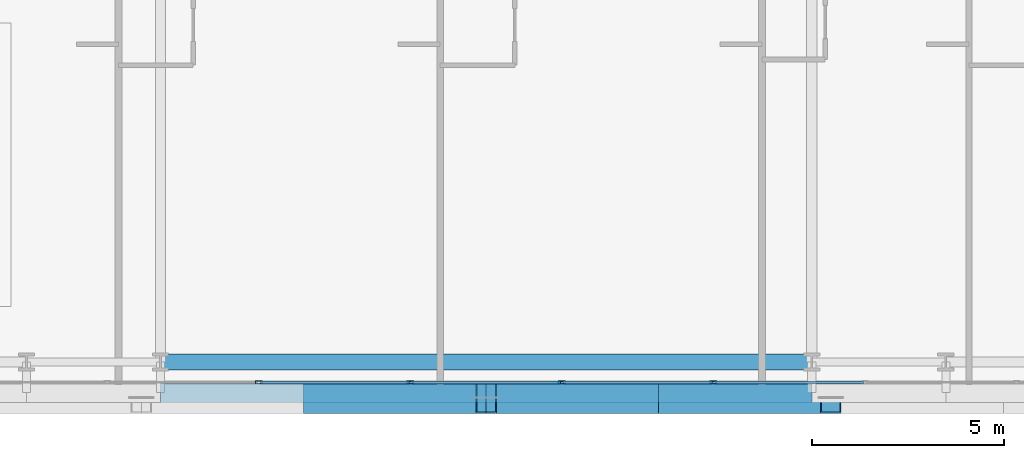
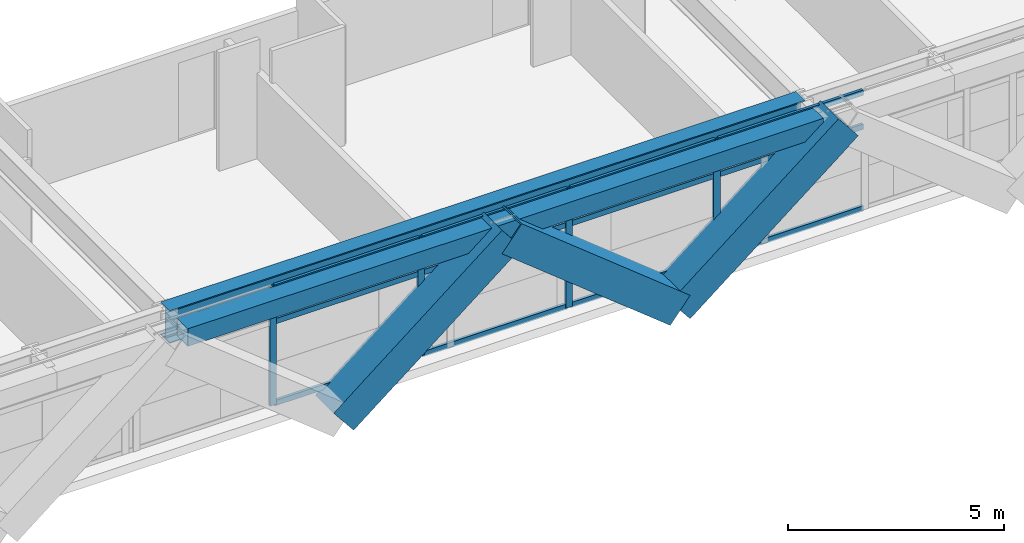
# One storey, part 5 of 38: 19 members, 2 beams, 1 element without a shape of its own.
"""IFC4 building model written with IfcOpenShell, lengths in metres."""

from ifc_helpers import new_model, si_unit, direction, frame, origin, origin_2d, place, context, subcontext, project, spatial, hollow_rectangle, i_section, extrude, source, transform, mapped, material, layer, layer_set, material_profile, profile_set, type_object, element, aggregate, save


model = new_model("IFC4")

# Units and contexts
model_context = context("Model", 3, precision=1e-05, world=origin(), true_north=direction((0.0, 1.0)))
body_context = subcontext(model_context, "Body", "Model", "MODEL_VIEW")
ifc_project = project(units=[si_unit("LENGTHUNIT", "METRE"), si_unit("AREAUNIT", "SQUARE_METRE"), si_unit("VOLUMEUNIT", "CUBIC_METRE"), si_unit("PLANEANGLEUNIT", "RADIAN"), si_unit("MASSUNIT", "GRAM", prefix="KILO")], contexts=[model_context])

# Site, building, storey
site_placement = place(None, origin())
site = spatial("IfcSite", under=ifc_project, at=site_placement, CompositionType="ELEMENT")
building_placement = place(site_placement, origin())
building = spatial("IfcBuilding", under=site, at=building_placement, Name="Ocotamira Hotel", CompositionType="ELEMENT")
storey_placement = place(building_placement, frame((0.0, 0.0, 60.0)))
storey = spatial("IfcBuildingStorey", under=building, at=storey_placement, Name="L14", CompositionType="ELEMENT", Elevation=60.0)

# Beams
ifc_material_1 = material(Name="Steel ASTM A992 Grade 50", Category="steel")
ifc_material_profile_1 = material_profile(ifc_material_1, i_section(OverallWidth=0.41796875, OverallDepth=0.927001953125, WebThickness=0.019287109375, FlangeThickness=0.031982421875, FilletRadius=0.02392578125, at=origin_2d()), Name="W36X231")
ifc_profile_set_1 = profile_set([ifc_material_profile_1], Name="Steel ASTM A992 Grade 50")
beam_type_1 = type_object("IfcBeamType", Name="BM-GIRD-W36X231", PredefinedType="BEAM", material=ifc_profile_set_1)
shared_shape_1 = source(origin(), body_context, "Body", "SweptSolid", [
    extrude(i_section(OverallWidth=0.41796875, OverallDepth=0.927001953125, WebThickness=0.019287109375, FlangeThickness=0.031982421875, FilletRadius=0.02392578125, at=origin_2d()), origin(), (0.0, 0.0, 1.0), 17.0),
])
beam_1_placement = place(storey_placement, frame((23.5, 2.949951171875, 2.886474609375), z_axis=(1.0, 0.0, 0.0), x_axis=(0.0, 1.0, 0.0)))
element("IfcBeam", 1, at=beam_1_placement, inside=storey, type_object=beam_type_1, Name="L14 Girder Y2.95 X23.5-40.5", PredefinedType="BEAM", context=body_context, shape_type="MappedRepresentation", body=[
    mapped(shared_shape_1, transform((0.0, 0.0, 0.0), scale=1.0)),
])
ifc_material_2 = material(Name="Steel ASTM A500 Grade C", Category="steel")
ifc_material_profile_2 = material_profile(ifc_material_2, hollow_rectangle(XDim=0.5, YDim=0.5, WallThickness=0.02001953125, at=origin_2d()), Name="HSS500X500X20")
ifc_profile_set_2 = profile_set([ifc_material_profile_2], Name="Steel ASTM A500 Grade C")
beam_type_2 = type_object("IfcBeamType", Name="BM-SPAN-HSS500", PredefinedType="USERDEFINED", material=ifc_profile_set_2)
shared_shape_2 = source(origin(), body_context, "Body", "SweptSolid", [
    extrude(hollow_rectangle(XDim=0.5, YDim=0.5, WallThickness=0.02001953125, at=origin_2d()), origin(), (0.0, 0.0, 1.0), 17.0),
])
beam_2_placement = place(storey_placement, frame((23.5, 2.14990234375, 3.10009765625), z_axis=(1.0, 0.0, 0.0), x_axis=(0.0, 1.0, 0.0)))
element("IfcBeam", 2, at=beam_2_placement, inside=storey, type_object=beam_type_2, Name="L14 Edge Spandrel S X23.5-40.5", ObjectType="SPANDREL", PredefinedType="USERDEFINED", context=body_context, shape_type="MappedRepresentation", body=[
    mapped(shared_shape_2, transform((0.0, 0.0, 0.0), scale=1.0)),
])

# Members
ifc_material_3 = material(Name="Pale-metal coated steel ASTM A913 Grade 65", Category="steel")
ifc_material_profile_3 = material_profile(ifc_material_3, hollow_rectangle(XDim=0.85009765625, YDim=0.85009765625, WallThickness=0.035888671875, at=origin_2d()), Name="BOX850X850X36")
ifc_profile_set_3 = profile_set([ifc_material_profile_3], Name="Pale-metal coated steel ASTM A913 Grade 65")
member_type_1 = type_object("IfcMemberType", Name="MEM-EXO-BOX850", PredefinedType="BRACE", material=ifc_profile_set_3)
shared_shape_3 = source(origin(), body_context, "Body", "SweptSolid", [
    extrude(hollow_rectangle(XDim=0.85009765625, YDim=0.85009765625, WallThickness=0.035888671875, at=origin_2d()), origin(), (0.0, 0.0, 1.0), 5.762939453125),
])
for number, where, z_axis, x_axis, name in (
    (3, (27.5, 2.030029296875, -0.5), (0.780860543151, 0.0, 0.624705380279), (0.0, 1.0, 0.0), "L14 Exoskeleton Diagrid S1.2"),
    (4, (36.5, 2.030029296875, -0.5), (-0.780860543151, 0.0, 0.624705380279), (0.0, -1.0, 0.0), "L14 Exoskeleton Diagrid S2.1"),
    (5, (36.5, 2.030029296875, -0.5), (0.780860543151, 0.0, 0.624705380279), (0.0, 1.0, 0.0), "L14 Exoskeleton Diagrid S2.2"),
):
    element("IfcMember", number, at=place(storey_placement, frame(where, z_axis=z_axis, x_axis=x_axis)), inside=storey, type_object=member_type_1, Name=name, PredefinedType="BRACE", context=body_context, shape_type="MappedRepresentation", body=[
        mapped(shared_shape_3, transform((0.0, 0.0, 0.0), scale=1.0)),
    ])

# Curtain wall, members
ifc_material_4 = material(Name="Anodised pale-metal aluminium and solar glass", Category="aluminium")
ifc_layer = layer(ifc_material_4, 0.179931640625)
ifc_layer_set = layer_set([ifc_layer], Name="Anodised pale-metal aluminium and solar glass")
curtain_wall_type = type_object("IfcCurtainWallType", Name="CW-SYS2-Z1", PredefinedType="NOTDEFINED", material=ifc_layer_set)
curtain_wall_placement = place(storey_placement, origin())
curtain_wall = element("IfcCurtainWall", 6, at=curtain_wall_placement, inside=storey, type_object=curtain_wall_type, Name="L14 Curtain Wall CW-2 CW-L14-S1", PredefinedType="NOTDEFINED")
ifc_material_5 = material(Name="Anodised pale-metal aluminium 6063-T6", Category="aluminium")
ifc_material_profile_4 = material_profile(ifc_material_5, hollow_rectangle(XDim=0.074951171875, YDim=0.14990234375, WallThickness=0.006103515625, at=origin_2d()), Name="HSS150X75X6")
ifc_profile_set_4 = profile_set([ifc_material_profile_4], Name="Anodised pale-metal aluminium 6063-T6")
member_type_2 = type_object("IfcMemberType", Name="CWT-150X75", PredefinedType="USERDEFINED", material=ifc_profile_set_4)
shared_shape_4 = source(origin(), body_context, "Body", "SweptSolid", [
    extrude(hollow_rectangle(XDim=0.074951171875, YDim=0.14990234375, WallThickness=0.006103515625, at=origin_2d()), origin(), (0.0, 0.0, 1.0), 3.87548828125),
])
member_1_placement = place(storey_placement, frame((26.106689453125, 2.419921875, 0.03759765625), z_axis=(1.0, 0.0, 0.0), x_axis=(0.0, 1.0, 0.0)))
member_1 = element("IfcMember", 7, at=member_1_placement, type_object=member_type_2, Name="CW-2 transom 4.1", ObjectType="TRANSOM", PredefinedType="USERDEFINED", context=body_context, shape_type="MappedRepresentation", body=[
    mapped(shared_shape_4, transform((0.0, 0.0, 0.0), scale=1.0)),
])
member_2_placement = place(storey_placement, frame((26.106689453125, 2.419921875, 2.35009765625), z_axis=(1.0, 0.0, 0.0), x_axis=(0.0, 1.0, 0.0)))
member_2 = element("IfcMember", 8, at=member_2_placement, type_object=member_type_2, Name="CW-2 transom 4.2", ObjectType="TRANSOM", PredefinedType="USERDEFINED", context=body_context, shape_type="MappedRepresentation", body=[
    mapped(shared_shape_4, transform((0.0, 0.0, 0.0), scale=1.0)),
])
member_3_placement = place(storey_placement, frame((26.106689453125, 2.419921875, 3.3125), z_axis=(1.0, 0.0, 0.0), x_axis=(0.0, 1.0, 0.0)))
member_3 = element("IfcMember", 9, at=member_3_placement, type_object=member_type_2, Name="CW-2 transom 4.3", ObjectType="TRANSOM", PredefinedType="USERDEFINED", context=body_context, shape_type="MappedRepresentation", body=[
    mapped(shared_shape_4, transform((0.0, 0.0, 0.0), scale=1.0)),
])
member_4_placement = place(storey_placement, frame((30.062255859375, 2.419921875, 0.03759765625), z_axis=(1.0, 0.0, 0.0), x_axis=(0.0, 1.0, 0.0)))
member_4 = element("IfcMember", 10, at=member_4_placement, type_object=member_type_2, Name="CW-2 transom 5.1", ObjectType="TRANSOM", PredefinedType="USERDEFINED", context=body_context, shape_type="MappedRepresentation", body=[
    mapped(shared_shape_4, transform((0.0, 0.0, 0.0), scale=1.0)),
])
member_5_placement = place(storey_placement, frame((30.062255859375, 2.419921875, 2.35009765625), z_axis=(1.0, 0.0, 0.0), x_axis=(0.0, 1.0, 0.0)))
member_5 = element("IfcMember", 11, at=member_5_placement, type_object=member_type_2, Name="CW-2 transom 5.2", ObjectType="TRANSOM", PredefinedType="USERDEFINED", context=body_context, shape_type="MappedRepresentation", body=[
    mapped(shared_shape_4, transform((0.0, 0.0, 0.0), scale=1.0)),
])
member_6_placement = place(storey_placement, frame((30.062255859375, 2.419921875, 3.3125), z_axis=(1.0, 0.0, 0.0), x_axis=(0.0, 1.0, 0.0)))
member_6 = element("IfcMember", 12, at=member_6_placement, type_object=member_type_2, Name="CW-2 transom 5.3", ObjectType="TRANSOM", PredefinedType="USERDEFINED", context=body_context, shape_type="MappedRepresentation", body=[
    mapped(shared_shape_4, transform((0.0, 0.0, 0.0), scale=1.0)),
])
member_7_placement = place(storey_placement, frame((34.017822265625, 2.419921875, 0.03759765625), z_axis=(1.0, 0.0, 0.0), x_axis=(0.0, 1.0, 0.0)))
member_7 = element("IfcMember", 13, at=member_7_placement, type_object=member_type_2, Name="CW-2 transom 6.1", ObjectType="TRANSOM", PredefinedType="USERDEFINED", context=body_context, shape_type="MappedRepresentation", body=[
    mapped(shared_shape_4, transform((0.0, 0.0, 0.0), scale=1.0)),
])
member_8_placement = place(storey_placement, frame((34.017822265625, 2.419921875, 2.35009765625), z_axis=(1.0, 0.0, 0.0), x_axis=(0.0, 1.0, 0.0)))
member_8 = element("IfcMember", 14, at=member_8_placement, type_object=member_type_2, Name="CW-2 transom 6.2", ObjectType="TRANSOM", PredefinedType="USERDEFINED", context=body_context, shape_type="MappedRepresentation", body=[
    mapped(shared_shape_4, transform((0.0, 0.0, 0.0), scale=1.0)),
])
member_9_placement = place(storey_placement, frame((34.017822265625, 2.419921875, 3.3125), z_axis=(1.0, 0.0, 0.0), x_axis=(0.0, 1.0, 0.0)))
member_9 = element("IfcMember", 15, at=member_9_placement, type_object=member_type_2, Name="CW-2 transom 6.3", ObjectType="TRANSOM", PredefinedType="USERDEFINED", context=body_context, shape_type="MappedRepresentation", body=[
    mapped(shared_shape_4, transform((0.0, 0.0, 0.0), scale=1.0)),
])
member_10_placement = place(storey_placement, frame((37.973388671875, 2.419921875, 0.03759765625), z_axis=(1.0, 0.0, 0.0), x_axis=(0.0, 1.0, 0.0)))
member_10 = element("IfcMember", 16, at=member_10_placement, type_object=member_type_2, Name="CW-2 transom 7.1", ObjectType="TRANSOM", PredefinedType="USERDEFINED", context=body_context, shape_type="MappedRepresentation", body=[
    mapped(shared_shape_4, transform((0.0, 0.0, 0.0), scale=1.0)),
])
member_11_placement = place(storey_placement, frame((37.973388671875, 2.419921875, 2.35009765625), z_axis=(1.0, 0.0, 0.0), x_axis=(0.0, 1.0, 0.0)))
member_11 = element("IfcMember", 17, at=member_11_placement, type_object=member_type_2, Name="CW-2 transom 7.2", ObjectType="TRANSOM", PredefinedType="USERDEFINED", context=body_context, shape_type="MappedRepresentation", body=[
    mapped(shared_shape_4, transform((0.0, 0.0, 0.0), scale=1.0)),
])
member_12_placement = place(storey_placement, frame((37.973388671875, 2.419921875, 3.3125), z_axis=(1.0, 0.0, 0.0), x_axis=(0.0, 1.0, 0.0)))
member_12 = element("IfcMember", 18, at=member_12_placement, type_object=member_type_2, Name="CW-2 transom 7.3", ObjectType="TRANSOM", PredefinedType="USERDEFINED", context=body_context, shape_type="MappedRepresentation", body=[
    mapped(shared_shape_4, transform((0.0, 0.0, 0.0), scale=1.0)),
])
ifc_material_profile_5 = material_profile(ifc_material_5, hollow_rectangle(XDim=0.080078125, YDim=0.179931640625, WallThickness=0.006103515625, at=origin_2d()), Name="HSS180X80X6")
ifc_profile_set_5 = profile_set([ifc_material_profile_5], Name="Anodised pale-metal aluminium 6063-T6")
member_type_3 = type_object("IfcMemberType", Name="CWM-180X75", PredefinedType="MULLION", material=ifc_profile_set_5)
shared_shape_5 = source(origin(), body_context, "Body", "SweptSolid", [
    extrude(hollow_rectangle(XDim=0.080078125, YDim=0.179931640625, WallThickness=0.006103515625, at=origin_2d()), origin(), (0.0, 0.0, 1.0), 3.35009765625),
])
member_13_placement = place(storey_placement, frame((26.066650390625, 2.419921875, 0.0), z_axis=(0.0, 0.0, 1.0), x_axis=(0.0, 1.0, 0.0)))
member_13 = element("IfcMember", 19, at=member_13_placement, type_object=member_type_3, Name="CW-2 mullion 4", PredefinedType="MULLION", context=body_context, shape_type="MappedRepresentation", body=[
    mapped(shared_shape_5, transform((0.0, 0.0, 0.0), scale=1.0)),
])
member_14_placement = place(storey_placement, frame((30.022216796875, 2.419921875, 0.0), z_axis=(0.0, 0.0, 1.0), x_axis=(0.0, 1.0, 0.0)))
member_14 = element("IfcMember", 20, at=member_14_placement, type_object=member_type_3, Name="CW-2 mullion 5", PredefinedType="MULLION", context=body_context, shape_type="MappedRepresentation", body=[
    mapped(shared_shape_5, transform((0.0, 0.0, 0.0), scale=1.0)),
])
member_15_placement = place(storey_placement, frame((33.977783203125, 2.419921875, 0.0), z_axis=(0.0, 0.0, 1.0), x_axis=(0.0, 1.0, 0.0)))
member_15 = element("IfcMember", 21, at=member_15_placement, type_object=member_type_3, Name="CW-2 mullion 6", PredefinedType="MULLION", context=body_context, shape_type="MappedRepresentation", body=[
    mapped(shared_shape_5, transform((0.0, 0.0, 0.0), scale=1.0)),
])
member_16_placement = place(storey_placement, frame((37.933349609375, 2.419921875, 0.0), z_axis=(0.0, 0.0, 1.0), x_axis=(0.0, 1.0, 0.0)))
member_16 = element("IfcMember", 22, at=member_16_placement, type_object=member_type_3, Name="CW-2 mullion 7", PredefinedType="MULLION", context=body_context, shape_type="MappedRepresentation", body=[
    mapped(shared_shape_5, transform((0.0, 0.0, 0.0), scale=1.0)),
])
aggregate(curtain_wall, [member_13, member_14, member_15, member_16, member_1, member_2, member_3, member_4, member_5, member_6, member_7, member_8, member_9, member_10, member_11, member_12])

save(model, "model.ifc")
